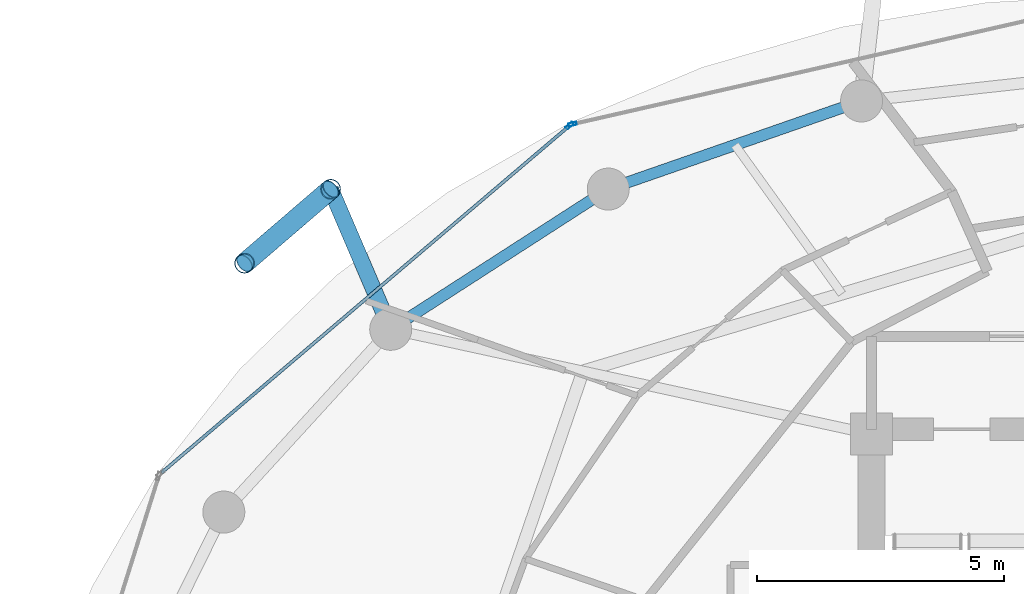
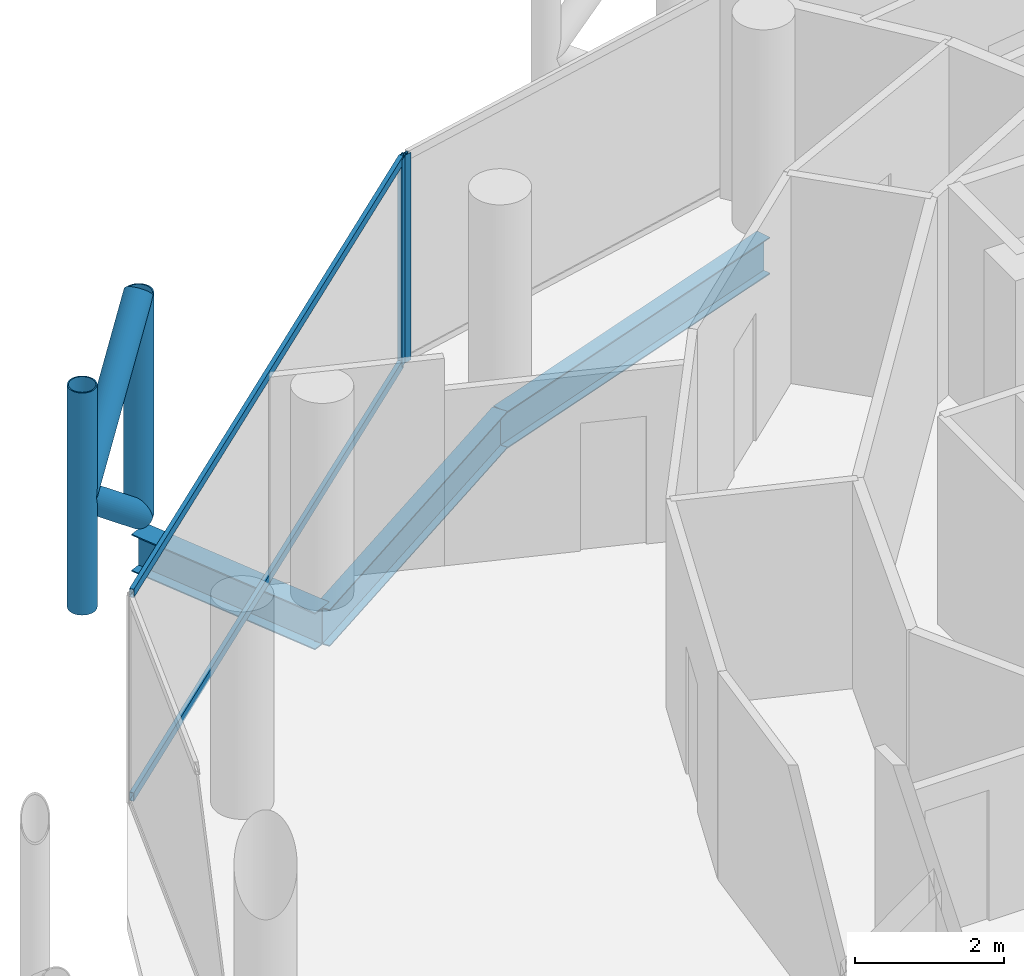
# One storey, part 18 of 27: 8 members, 3 beams, 2 elements without a shape of their own.
"""IFC4 building model written with IfcOpenShell, lengths in metres."""

from ifc_helpers import new_model, si_unit, direction, frame, origin, origin_2d, place, context, subcontext, project, spatial, hollow_rectangle, hollow_circle, i_section, extrude, material, layer, layer_set, material_profile, profile_set, type_object, element, aggregate, save


model = new_model("IFC4")

# Units and contexts
model_context = context("Model", 3, precision=1e-05, world=origin(), true_north=direction((0.0, 1.0)))
body_context = subcontext(model_context, "Body", "Model", "MODEL_VIEW")
ifc_project = project(units=[si_unit("LENGTHUNIT", "METRE"), si_unit("AREAUNIT", "SQUARE_METRE"), si_unit("VOLUMEUNIT", "CUBIC_METRE"), si_unit("PLANEANGLEUNIT", "RADIAN"), si_unit("MASSUNIT", "GRAM", prefix="KILO")], contexts=[model_context])

# Site, building, storey
site_placement = place(None, origin())
site = spatial("IfcSite", under=ifc_project, at=site_placement, CompositionType="ELEMENT")
building_placement = place(site_placement, origin())
building = spatial("IfcBuilding", under=site, at=building_placement, Name="Nuhasar Tower", CompositionType="ELEMENT")
storey_placement = place(building_placement, frame((0.0, 0.0, 215.449951171875)))
storey = spatial("IfcBuildingStorey", under=building, at=storey_placement, Name="L52", CompositionType="ELEMENT", Elevation=215.449951171875)

# Beams
ifc_material_1 = material(Name="Steel S355", Category="steel")
ifc_material_profile_1 = material_profile(ifc_material_1, i_section(OverallWidth=0.22802734375, OverallDepth=0.60791015625, WebThickness=0.01123046875, FlangeThickness=0.017333984375, at=origin_2d()), Name="W24X76")
ifc_profile_set_1 = profile_set([ifc_material_profile_1], Name="Steel S355")
beam_type_1 = type_object("IfcBeamType", Name="BM-RING-W24X76", PredefinedType="SPANDREL", material=ifc_profile_set_1)
beam_1_placement = place(storey_placement, frame((33.5, 44.0419921875, -0.5439453125), z_axis=(-0.944476764686, -0.328578211342, 0.0), x_axis=(0.328578211342, -0.944476764686, 0.0)))
element("IfcBeam", 1, at=beam_1_placement, inside=storey, type_object=beam_type_1, Name="L52 Perimeter Ring Spandrel 08", PredefinedType="SPANDREL", context=body_context, shape_type="SweptSolid", body=[
    extrude(i_section(OverallWidth=0.22802734375, OverallDepth=0.60791015625, WebThickness=0.01123046875, FlangeThickness=0.017333984375, at=origin_2d()), origin(), (0.0, 0.0, 1.0), 5.42626953125),
])
beam_2_placement = place(storey_placement, frame((28.375, 42.259033203125, -0.5439453125), z_axis=(-0.840502144969, -0.541808217272, 0.0), x_axis=(0.541808217272, -0.840502144969, 0.0)))
element("IfcBeam", 2, at=beam_2_placement, inside=storey, type_object=beam_type_1, Name="L52 Perimeter Ring Spandrel 09", PredefinedType="SPANDREL", context=body_context, shape_type="SweptSolid", body=[
    extrude(i_section(OverallWidth=0.22802734375, OverallDepth=0.60791015625, WebThickness=0.01123046875, FlangeThickness=0.017333984375, at=origin_2d()), origin(), (0.0, 0.0, 1.0), 5.236083984375),
])
ifc_material_profile_2 = material_profile(ifc_material_1, i_section(OverallWidth=0.323974609375, OverallDepth=0.611083984375, WebThickness=0.0126953125, FlangeThickness=0.01904296875, at=origin_2d()), Name="W24X104")
ifc_profile_set_2 = profile_set([ifc_material_profile_2], Name="Steel S355")
beam_type_2 = type_object("IfcBeamType", Name="BM-TIE-W24X104", PredefinedType="BEAM", material=ifc_profile_set_2)
beam_3_placement = place(storey_placement, frame((23.97412109375, 39.422119140625, -0.544921875), z_axis=(-0.393680429682, 0.919247365667, 0.0), x_axis=(-0.919247365667, -0.393680429682, 0.0)))
element("IfcBeam", 3, at=beam_3_placement, inside=storey, type_object=beam_type_2, Name="L52 Exoskeleton Node Tie Beam 05", PredefinedType="BEAM", context=body_context, shape_type="SweptSolid", body=[
    extrude(i_section(OverallWidth=0.323974609375, OverallDepth=0.611083984375, WebThickness=0.0126953125, FlangeThickness=0.01904296875, at=origin_2d()), origin(), (0.0, 0.0, 1.0), 3.083984375),
])

# Curtain wall, member
ifc_material_2 = material(Name="Aluminium 6063-T6", Category="aluminium")
ifc_layer = layer(ifc_material_2, 0.18994140625)
ifc_layer_set = layer_set([ifc_layer], Name="Aluminium 6063-T6")
curtain_wall_type = type_object("IfcCurtainWallType", Name="CW-Z3-RES", PredefinedType="NOTDEFINED", material=ifc_layer_set)
curtain_wall_1_placement = place(storey_placement, origin())
curtain_wall_1 = element("IfcCurtainWall", 4, at=curtain_wall_1_placement, inside=storey, type_object=curtain_wall_type, Name="L52 Unitised Curtain Wall 04", PredefinedType="NOTDEFINED")
ifc_material_profile_3 = material_profile(ifc_material_2, hollow_rectangle(XDim=0.06494140625, YDim=0.169921875, WallThickness=0.0048828125, at=origin_2d()), Name="CWM-4")
ifc_profile_set_3 = profile_set([ifc_material_profile_3], Name="Aluminium 6063-T6")
member_type_1 = type_object("IfcMemberType", Name="CW-MUL-S4", PredefinedType="MULLION", material=ifc_profile_set_3)
member_1_placement = place(storey_placement, frame((27.651611328125, 43.5732421875, 0.0), z_axis=(0.0, 0.0, 1.0), x_axis=(0.222243176313, -0.974991266926, 0.0)))
member_1 = element("IfcMember", 5, at=member_1_placement, type_object=member_type_1, Name="CW-Z3 mullion 2", PredefinedType="MULLION", context=body_context, shape_type="SweptSolid", body=[
    extrude(hollow_rectangle(XDim=0.06494140625, YDim=0.169921875, WallThickness=0.0048828125, at=origin_2d()), origin(), (0.0, 0.0, 1.0), 3.41015625),
])
aggregate(curtain_wall_1, [member_1])

# Curtain wall, members
curtain_wall_2_placement = place(storey_placement, origin())
curtain_wall_2 = element("IfcCurtainWall", 6, at=curtain_wall_2_placement, inside=storey, type_object=curtain_wall_type, Name="L52 Unitised Curtain Wall 05", PredefinedType="NOTDEFINED")
member_2_placement = place(storey_placement, frame((27.59521484375, 43.544921875, 0.0), z_axis=(0.0, 0.0, 1.0), x_axis=(0.64789521578, -0.761729472562, 0.0)))
member_2 = element("IfcMember", 7, at=member_2_placement, type_object=member_type_1, Name="CW-Z3 mullion 1", PredefinedType="MULLION", context=body_context, shape_type="SweptSolid", body=[
    extrude(hollow_rectangle(XDim=0.06494140625, YDim=0.169921875, WallThickness=0.0048828125, at=origin_2d()), origin(), (0.0, 0.0, 1.0), 3.41015625),
])
ifc_material_profile_4 = material_profile(ifc_material_2, hollow_rectangle(XDim=0.06494140625, YDim=0.139892578125, WallThickness=0.00439453125, at=origin_2d()), Name="CWT-4")
ifc_profile_set_4 = profile_set([ifc_material_profile_4], Name="Aluminium 6063-T6")
member_type_2 = type_object("IfcMemberType", Name="CW-TRN-S4", PredefinedType="USERDEFINED", material=ifc_profile_set_4)
member_3_placement = place(storey_placement, frame((27.570556640625, 43.52392578125, 0.032470703125), z_axis=(-0.761730809511, -0.647893643928, 0.0), x_axis=(0.647893643928, -0.761730809511, 0.0)))
member_3 = element("IfcMember", 8, at=member_3_placement, type_object=member_type_2, Name="CW-Z3 transom 1.1", ObjectType="TRANSOM", PredefinedType="USERDEFINED", context=body_context, shape_type="SweptSolid", body=[
    extrude(hollow_rectangle(XDim=0.06494140625, YDim=0.139892578125, WallThickness=0.00439453125, at=origin_2d()), origin(), (0.0, 0.0, 1.0), 10.806884765625),
])
member_4_placement = place(storey_placement, frame((27.570556640625, 43.52392578125, 3.37744140625), z_axis=(-0.761730809511, -0.647893643928, 0.0), x_axis=(0.647893643928, -0.761730809511, 0.0)))
member_4 = element("IfcMember", 9, at=member_4_placement, type_object=member_type_2, Name="CW-Z3 transom 1.2", ObjectType="TRANSOM", PredefinedType="USERDEFINED", context=body_context, shape_type="SweptSolid", body=[
    extrude(hollow_rectangle(XDim=0.06494140625, YDim=0.139892578125, WallThickness=0.00439453125, at=origin_2d()), origin(), (0.0, 0.0, 1.0), 10.806884765625),
])
aggregate(curtain_wall_2, [member_2, member_3, member_4])

# Members
ifc_material_3 = material(Name="Steel S460", Category="steel")
ifc_material_profile_5 = material_profile(ifc_material_3, hollow_circle(Radius=0.203125, WallThickness=0.01904296875, at=origin_2d()), Name="HSS406.4X19.1")
ifc_profile_set_5 = profile_set([ifc_material_profile_5], Name="Steel S460")
member_type_3 = type_object("IfcMemberType", Name="EXO-BRONZE-406", PredefinedType="BRACE", material=ifc_profile_set_5)
for number, where, z_axis, x_axis, name in (
    (10, (22.760009765625, 42.257080078125, 0.0), (0.0, 0.0, 1.0), (1.0, 0.0, 0.0), "L52 Exoskeleton Chord Column EC-05A"),
    (11, (21.01611328125, 40.758056640625, 0.0), (0.0, 0.0, 1.0), (1.0, 0.0, 0.0), "L52 Exoskeleton Chord Column EC-05B"),
):
    element("IfcMember", number, at=place(storey_placement, frame(where, z_axis=z_axis, x_axis=x_axis)), inside=storey, type_object=member_type_3, Name=name, PredefinedType="BRACE", context=body_context, shape_type="SweptSolid", body=[
        extrude(hollow_circle(Radius=0.203125, WallThickness=0.01904296875, at=origin_2d()), origin(), (0.0, 0.0, 1.0), 3.650146484375),
    ])
for number, where, z_axis, x_axis, name in (
    (12, (22.760009765625, 42.257080078125, 0.0), (-0.594018535389, -0.510608120858, 0.621627964725), (0.65185738425, -0.758341579104, 0.0), "L52 Bronze Diagrid Brace W1-05"),
    (13, (21.01611328125, 40.758056640625, 1.824951171875), (0.593987827832, 0.51058172517, 0.621678986543), (-0.65185738425, 0.758341579104, 0.0), "L52 Bronze Diagrid Brace W2-05"),
):
    element("IfcMember", number, at=place(storey_placement, frame(where, z_axis=z_axis, x_axis=x_axis)), inside=storey, type_object=member_type_3, Name=name, PredefinedType="BRACE", context=body_context, shape_type="SweptSolid", body=[
        extrude(hollow_circle(Radius=0.203125, WallThickness=0.01904296875, at=origin_2d()), origin(), (0.0, 0.0, 1.0), 2.935791015625),
    ])

save(model, "model.ifc")
